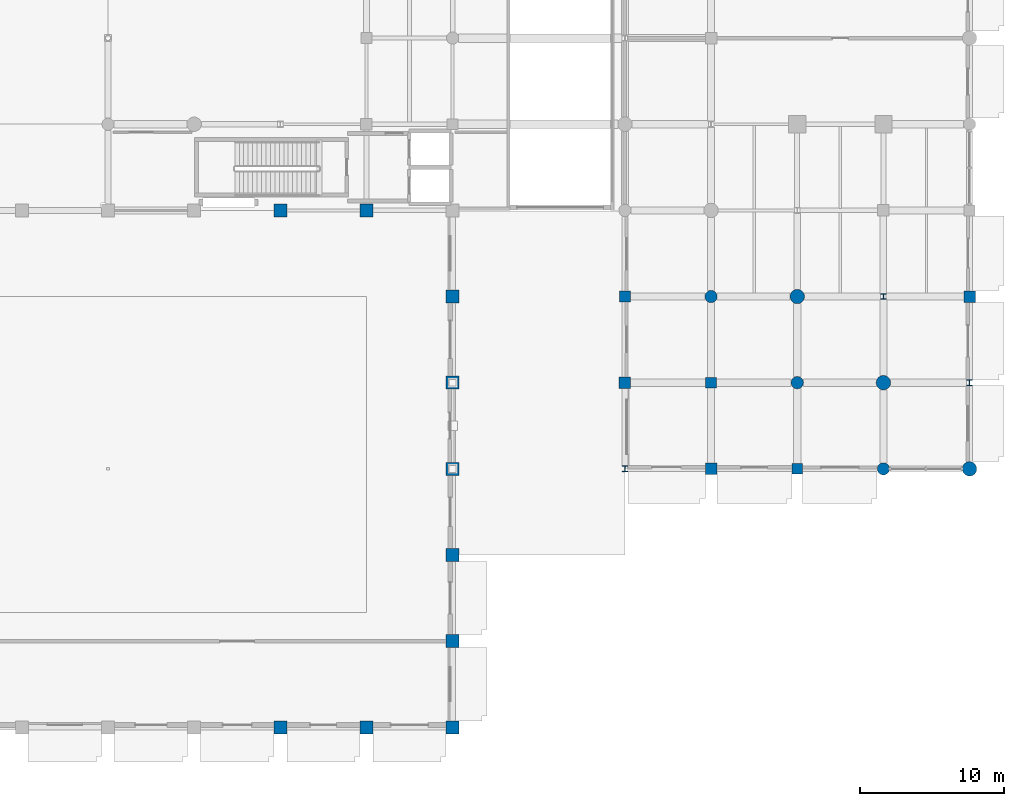
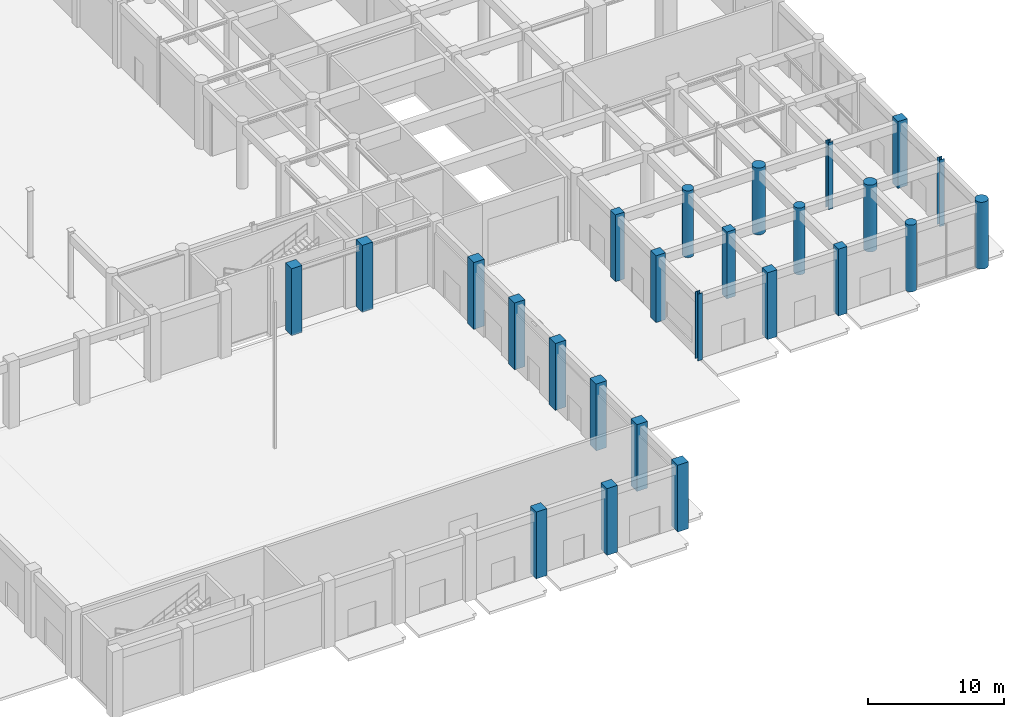
# One storey, part 16 of 106: 25 columns.
"""IFC4 building model written with IfcOpenShell, lengths in metres."""

from ifc_helpers import new_model, si_unit, direction, frame, origin, origin_2d, place, context, subcontext, project, spatial, rectangle, circle, i_section, extrude, material, material_profile, profile_set, type_object, element, save


model = new_model("IFC4")

# Units and contexts
model_context = context("Model", 3, precision=1e-05, world=origin(), true_north=direction((0.0, 1.0)))
body_context = subcontext(model_context, "Body", "Model", "MODEL_VIEW")
ifc_project = project(units=[si_unit("LENGTHUNIT", "METRE"), si_unit("AREAUNIT", "SQUARE_METRE"), si_unit("VOLUMEUNIT", "CUBIC_METRE"), si_unit("PLANEANGLEUNIT", "RADIAN"), si_unit("MASSUNIT", "GRAM", prefix="KILO"), si_unit("THERMODYNAMICTEMPERATUREUNIT", "KELVIN"), si_unit("POWERUNIT", "WATT")], contexts=[model_context])

# Site, building, storey
site_placement = place(None, origin())
site = spatial("IfcSite", under=ifc_project, at=site_placement, CompositionType="ELEMENT")
building_placement = place(site_placement, origin())
building = spatial("IfcBuilding", under=site, at=building_placement, Name="Phaisarnlok Congress Hotel", CompositionType="ELEMENT")
storey_placement = place(building_placement, origin())
storey = spatial("IfcBuildingStorey", under=building, at=storey_placement, Name="L00", CompositionType="ELEMENT", Elevation=0.0)

# Columns
ifc_material_1 = material(Name="Concrete C50/60", Category="concrete")
ifc_material_profile_1 = material_profile(ifc_material_1, rectangle(XDim=0.75, YDim=0.75, at=origin_2d()), Name="RC 750x750")
ifc_profile_set_1 = profile_set([ifc_material_profile_1], Name="Concrete C50/60")
column_type_1 = type_object("IfcColumnType", Name="COL-RC-750", PredefinedType="COLUMN", material=ifc_profile_set_1)
for number, where, z_axis, x_axis, name in (
    (1, (156.0, 30.0, 0.0), (0.0, 0.0, 1.0), (1.0, 0.0, 0.0), "Column C-06 (L00)"),
    (2, (162.0, 24.0, 0.0), (0.0, 0.0, 1.0), (1.0, 0.0, 0.0), "Column C-06 (L00)"),
    (3, (168.0, 18.0, 0.0), (0.0, 0.0, 1.0), (1.0, 0.0, 0.0), "Column C-06 (L00)"),
):
    element("IfcColumn", number, at=place(storey_placement, frame(where, z_axis=z_axis, x_axis=x_axis)), inside=storey, type_object=column_type_1, Name=name, PredefinedType="COLUMN", context=body_context, shape_type="SweptSolid", body=[
        extrude(rectangle(XDim=0.75, YDim=0.75, at=origin_2d()), origin(), (0.0, 0.0, 1.0), 6.0),
    ])
ifc_material_profile_2 = material_profile(ifc_material_1, rectangle(XDim=0.800048828125, YDim=0.800048828125, at=origin_2d()), Name="RC 800x800")
ifc_profile_set_2 = profile_set([ifc_material_profile_2], Name="Concrete C50/60")
column_type_2 = type_object("IfcColumnType", Name="COL-RC-800", PredefinedType="COLUMN", material=ifc_profile_set_2)
for number, where, z_axis, x_axis, name in (
    (4, (156.0, 24.0, 0.0), (0.0, 0.0, 1.0), (1.0, 0.0, 0.0), "Column C-07 (L00)"),
    (5, (162.0, 18.0, 0.0), (0.0, 0.0, 1.0), (1.0, 0.0, 0.0), "Column C-07 (L00)"),
):
    element("IfcColumn", number, at=place(storey_placement, frame(where, z_axis=z_axis, x_axis=x_axis)), inside=storey, type_object=column_type_2, Name=name, PredefinedType="COLUMN", context=body_context, shape_type="SweptSolid", body=[
        extrude(rectangle(XDim=0.800048828125, YDim=0.800048828125, at=origin_2d()), origin(), (0.0, 0.0, 1.0), 6.0),
    ])
ifc_material_profile_3 = material_profile(ifc_material_1, rectangle(XDim=0.800048828125, YDim=0.800048828125, at=origin_2d()), Name="RC 800x800")
ifc_profile_set_3 = profile_set([ifc_material_profile_3], Name="Concrete C50/60")
column_type_3 = type_object("IfcColumnType", Name="COL-RC-800-EXT", PredefinedType="COLUMN", material=ifc_profile_set_3)
column_1_placement = place(storey_placement, frame((180.0, 30.0, 0.0), z_axis=(0.0, 0.0, 1.0), x_axis=(1.0, 0.0, 0.0)))
element("IfcColumn", 6, at=column_1_placement, inside=storey, type_object=column_type_3, Name="Column C-07E (L00)", PredefinedType="COLUMN", context=body_context, shape_type="SweptSolid", body=[
    extrude(rectangle(XDim=0.800048828125, YDim=0.800048828125, at=origin_2d()), origin(), (0.0, 0.0, 1.0), 6.0),
])
ifc_material_profile_4 = material_profile(ifc_material_1, rectangle(XDim=0.89990234375, YDim=0.89990234375, at=origin_2d()), Name="RC 900x900")
ifc_profile_set_4 = profile_set([ifc_material_profile_4], Name="Concrete C50/60")
column_type_4 = type_object("IfcColumnType", Name="COL-RC-900", PredefinedType="COLUMN", material=ifc_profile_set_4)
for number, where, z_axis, x_axis, name in (
    (7, (132.0, 36.0, 0.0), (0.0, 0.0, 1.0), (1.0, 0.0, 0.0), "Column C-08 (L00)"),
    (8, (138.0, 36.0, 0.0), (0.0, 0.0, 1.0), (1.0, 0.0, 0.0), "Column C-08 (L00)"),
    (9, (144.0, 6.0, 0.0), (0.0, 0.0, 1.0), (1.0, 0.0, 0.0), "Column C-08 (L00)"),
    (10, (144.0, 12.0, 0.0), (0.0, 0.0, 1.0), (1.0, 0.0, 0.0), "Column C-08 (L00)"),
    (11, (144.0, 18.0, 0.0), (0.0, 0.0, 1.0), (1.0, 0.0, 0.0), "Column C-08 (L00)"),
    (12, (144.0, 24.0, 0.0), (0.0, 0.0, 1.0), (1.0, 0.0, 0.0), "Column C-08 (L00)"),
    (13, (144.0, 30.0, 0.0), (0.0, 0.0, 1.0), (1.0, 0.0, 0.0), "Column C-08 (L00)"),
):
    element("IfcColumn", number, at=place(storey_placement, frame(where, z_axis=z_axis, x_axis=x_axis)), inside=storey, type_object=column_type_4, Name=name, PredefinedType="COLUMN", context=body_context, shape_type="SweptSolid", body=[
        extrude(rectangle(XDim=0.89990234375, YDim=0.89990234375, at=origin_2d()), origin(), (0.0, 0.0, 1.0), 6.0),
    ])
ifc_material_profile_5 = material_profile(ifc_material_1, rectangle(XDim=0.89990234375, YDim=0.89990234375, at=origin_2d()), Name="RC 900x900")
ifc_profile_set_5 = profile_set([ifc_material_profile_5], Name="Concrete C50/60")
column_type_5 = type_object("IfcColumnType", Name="COL-RC-900-EXT", PredefinedType="COLUMN", material=ifc_profile_set_5)
for number, where, z_axis, x_axis, name in (
    (14, (132.0, 0.0, 0.0), (0.0, 0.0, 1.0), (1.0, 0.0, 0.0), "Column C-08E (L00)"),
    (15, (138.0, 0.0, 0.0), (0.0, 0.0, 1.0), (1.0, 0.0, 0.0), "Column C-08E (L00)"),
    (16, (144.0, 0.0, 0.0), (0.0, 0.0, 1.0), (1.0, 0.0, 0.0), "Column C-08E (L00)"),
):
    element("IfcColumn", number, at=place(storey_placement, frame(where, z_axis=z_axis, x_axis=x_axis)), inside=storey, type_object=column_type_5, Name=name, PredefinedType="COLUMN", context=body_context, shape_type="SweptSolid", body=[
        extrude(rectangle(XDim=0.89990234375, YDim=0.89990234375, at=origin_2d()), origin(), (0.0, 0.0, 1.0), 6.0),
    ])
ifc_material_profile_6 = material_profile(ifc_material_1, circle(Radius=0.5, at=origin_2d()), Name="RCC D1000")
ifc_profile_set_6 = profile_set([ifc_material_profile_6], Name="Concrete C50/60")
column_type_6 = type_object("IfcColumnType", Name="COL-RCC-1000", PredefinedType="COLUMN", material=ifc_profile_set_6)
for number, where, z_axis, x_axis, name in (
    (17, (168.0, 30.0, 0.0), (0.0, 0.0, 1.0), (1.0, 0.0, 0.0), "Column C-15 (L00)"),
    (18, (174.0, 24.0, 0.0), (0.0, 0.0, 1.0), (1.0, 0.0, 0.0), "Column C-15 (L00)"),
):
    element("IfcColumn", number, at=place(storey_placement, frame(where, z_axis=z_axis, x_axis=x_axis)), inside=storey, type_object=column_type_6, Name=name, PredefinedType="COLUMN", context=body_context, shape_type="SweptSolid", body=[
        extrude(circle(Radius=0.5, at=origin_2d()), origin(), (0.0, 0.0, 1.0), 6.0),
    ])
ifc_material_profile_7 = material_profile(ifc_material_1, circle(Radius=0.5, at=origin_2d()), Name="RCC D1000")
ifc_profile_set_7 = profile_set([ifc_material_profile_7], Name="Concrete C50/60")
column_type_7 = type_object("IfcColumnType", Name="COL-RCC-1000-EXT", PredefinedType="COLUMN", material=ifc_profile_set_7)
column_2_placement = place(storey_placement, frame((180.0, 18.0, 0.0), z_axis=(0.0, 0.0, 1.0), x_axis=(1.0, 0.0, 0.0)))
element("IfcColumn", 19, at=column_2_placement, inside=storey, type_object=column_type_7, Name="Column C-15E (L00)", PredefinedType="COLUMN", context=body_context, shape_type="SweptSolid", body=[
    extrude(circle(Radius=0.5, at=origin_2d()), origin(), (0.0, 0.0, 1.0), 6.0),
])
ifc_material_profile_8 = material_profile(ifc_material_1, circle(Radius=0.425048828125, at=origin_2d()), Name="RCC D850")
ifc_profile_set_8 = profile_set([ifc_material_profile_8], Name="Concrete C50/60")
column_type_8 = type_object("IfcColumnType", Name="COL-RCC-850", PredefinedType="COLUMN", material=ifc_profile_set_8)
for number, where, z_axis, x_axis, name in (
    (20, (162.0, 30.0, 0.0), (0.0, 0.0, 1.0), (1.0, 0.0, 0.0), "Column C-14 (L00)"),
    (21, (168.0, 24.0, 0.0), (0.0, 0.0, 1.0), (1.0, 0.0, 0.0), "Column C-14 (L00)"),
    (22, (174.0, 18.0, 0.0), (0.0, 0.0, 1.0), (1.0, 0.0, 0.0), "Column C-14 (L00)"),
):
    element("IfcColumn", number, at=place(storey_placement, frame(where, z_axis=z_axis, x_axis=x_axis)), inside=storey, type_object=column_type_8, Name=name, PredefinedType="COLUMN", context=body_context, shape_type="SweptSolid", body=[
        extrude(circle(Radius=0.425048828125, at=origin_2d()), origin(), (0.0, 0.0, 1.0), 6.0),
    ])
ifc_material_2 = material(Name="Steel S355", Category="steel")
ifc_material_profile_9 = material_profile(ifc_material_2, i_section(OverallWidth=0.40087890625, OverallDepth=0.39892578125, WebThickness=0.0185546875, FlangeThickness=0.030029296875, FilletRadius=0.014892578125, at=origin_2d()), Name="HD 400x314")
ifc_profile_set_9 = profile_set([ifc_material_profile_9], Name="Steel S355")
column_type_9 = type_object("IfcColumnType", Name="COL-STL-HD314", PredefinedType="COLUMN", material=ifc_profile_set_9)
for number, where, z_axis, x_axis, name in (
    (23, (156.0, 18.0, 0.0), (0.0, 0.0, 1.0), (1.0, 0.0, 0.0), "Column SC-04 (L00)"),
    (24, (174.0, 30.0, 0.0), (0.0, 0.0, 1.0), (1.0, 0.0, 0.0), "Column SC-04 (L00)"),
):
    element("IfcColumn", number, at=place(storey_placement, frame(where, z_axis=z_axis, x_axis=x_axis)), inside=storey, type_object=column_type_9, Name=name, PredefinedType="COLUMN", context=body_context, shape_type="SweptSolid", body=[
        extrude(i_section(OverallWidth=0.40087890625, OverallDepth=0.39892578125, WebThickness=0.0185546875, FlangeThickness=0.030029296875, FilletRadius=0.014892578125, at=origin_2d()), origin(), (0.0, 0.0, 1.0), 6.0),
    ])
ifc_material_profile_10 = material_profile(ifc_material_2, i_section(OverallWidth=0.40087890625, OverallDepth=0.39892578125, WebThickness=0.0185546875, FlangeThickness=0.030029296875, FilletRadius=0.014892578125, at=origin_2d()), Name="HD 400x314")
ifc_profile_set_10 = profile_set([ifc_material_profile_10], Name="Steel S355")
column_type_10 = type_object("IfcColumnType", Name="COL-STL-HD314-EXT", PredefinedType="COLUMN", material=ifc_profile_set_10)
column_3_placement = place(storey_placement, frame((180.0, 24.0, 0.0), z_axis=(0.0, 0.0, 1.0), x_axis=(1.0, 0.0, 0.0)))
element("IfcColumn", 25, at=column_3_placement, inside=storey, type_object=column_type_10, Name="Column SC-04E (L00)", PredefinedType="COLUMN", context=body_context, shape_type="SweptSolid", body=[
    extrude(i_section(OverallWidth=0.40087890625, OverallDepth=0.39892578125, WebThickness=0.0185546875, FlangeThickness=0.030029296875, FilletRadius=0.014892578125, at=origin_2d()), origin(), (0.0, 0.0, 1.0), 6.0),
])

save(model, "model.ifc")
